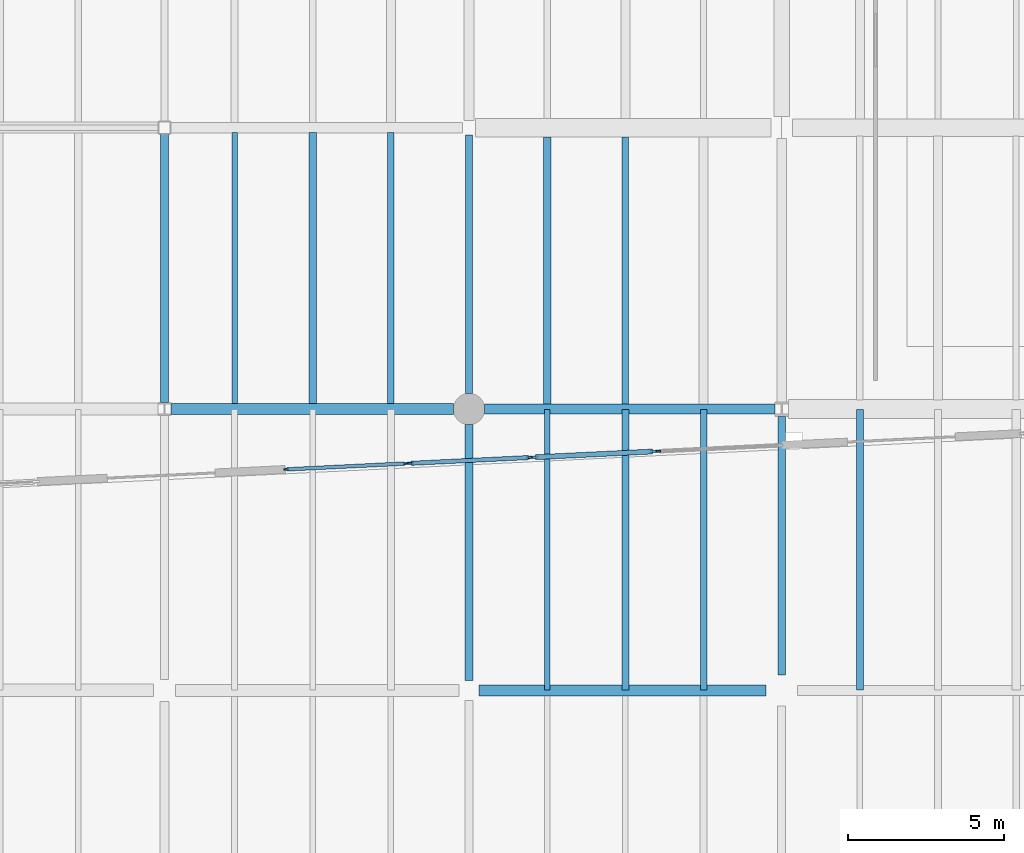
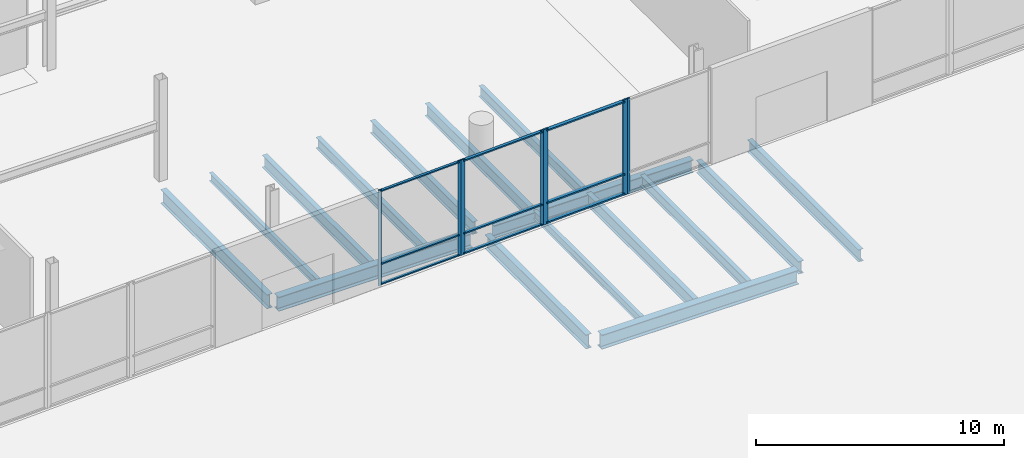
# One storey, part 27 of 88: 16 beams, 16 members, 4 elements without a shape of their own.
"""IFC4 building model written with IfcOpenShell, lengths in metres."""

from ifc_helpers import new_model, si_unit, direction, frame, origin, origin_2d, place, context, subcontext, project, spatial, rectangle, i_section, extrude, material, material_profile, profile_set, type_object, element, aggregate, save


model = new_model("IFC4")

# Units and contexts
model_context = context("Model", 3, precision=1e-05, world=origin(), true_north=direction((0.0, 1.0)))
body_context = subcontext(model_context, "Body", "Model", "MODEL_VIEW")
ifc_project = project(units=[si_unit("LENGTHUNIT", "METRE"), si_unit("AREAUNIT", "SQUARE_METRE"), si_unit("VOLUMEUNIT", "CUBIC_METRE"), si_unit("PLANEANGLEUNIT", "RADIAN"), si_unit("MASSUNIT", "GRAM", prefix="KILO")], contexts=[model_context])

# Site, building, storey
site_placement = place(None, origin())
site = spatial("IfcSite", under=ifc_project, at=site_placement, CompositionType="ELEMENT")
building_placement = place(site_placement, origin())
building = spatial("IfcBuilding", under=site, at=building_placement, Name="Trimount Lyric Opera House", CompositionType="ELEMENT")
storey_placement = place(building_placement, origin())
storey = spatial("IfcBuildingStorey", under=building, at=storey_placement, Name="L00", CompositionType="ELEMENT", Elevation=0.0)

# Beams
ifc_material_1 = material(Name="Steel ASTM A992 Grade 50", Category="steel")
ifc_material_profile_1 = material_profile(ifc_material_1, i_section(OverallWidth=0.35595703125, OverallDepth=0.700927734375, WebThickness=0.016845703125, FlangeThickness=0.02734375, FilletRadius=0.01806640625, at=origin_2d()), Name="W27X161")
ifc_profile_set_1 = profile_set([ifc_material_profile_1], Name="Steel ASTM A992 Grade 50")
beam_type_1 = type_object("IfcBeamType", Name="B-08", PredefinedType="BEAM", material=ifc_profile_set_1)
beam_1_placement = place(storey_placement, frame((74.324951171875, 17.0, -0.590576171875), z_axis=(1.0, 0.0, 0.0), x_axis=(0.0, 1.0, 0.0)))
element("IfcBeam", 1, at=beam_1_placement, inside=storey, type_object=beam_type_1, Name="L00 girder X-0043", PredefinedType="BEAM", context=body_context, shape_type="SweptSolid", body=[
    extrude(i_section(OverallWidth=0.35595703125, OverallDepth=0.700927734375, WebThickness=0.016845703125, FlangeThickness=0.02734375, FilletRadius=0.01806640625, at=origin_2d()), origin(), (0.0, 0.0, 1.0), 9.175048828125),
])
beam_2_placement = place(storey_placement, frame((64.462890625, 26.0, -0.73046875), z_axis=(1.0, 0.0, 0.0), x_axis=(0.0, 1.0, 0.0)))
element("IfcBeam", 2, at=beam_2_placement, inside=storey, type_object=beam_type_1, Name="L00 girder X-0057", PredefinedType="BEAM", context=body_context, shape_type="SweptSolid", body=[
    extrude(i_section(OverallWidth=0.35595703125, OverallDepth=0.700927734375, WebThickness=0.016845703125, FlangeThickness=0.02734375, FilletRadius=0.01806640625, at=origin_2d()), origin(), (0.0, 0.0, 1.0), 9.037109375),
])
ifc_material_2 = material(Name="Steel ASTM A992 Grade 50", Category="steel")
ifc_material_profile_2 = material_profile(ifc_material_2, i_section(OverallWidth=0.25390625, OverallDepth=0.68798828125, WebThickness=0.01318359375, FlangeThickness=0.02099609375, FilletRadius=0.01611328125, at=origin_2d()), Name="W27X102")
ifc_profile_set_2 = profile_set([ifc_material_profile_2], Name="Steel ASTM A992 Grade 50")
beam_type_2 = type_object("IfcBeamType", Name="B-09", PredefinedType="BEAM", material=ifc_profile_set_2)
beam_3_placement = place(storey_placement, frame((64.260009765625, 26.20849609375, -0.72412109375), z_axis=(0.0, 1.0, 0.0), x_axis=(-1.0, 0.0, 0.0)))
element("IfcBeam", 3, at=beam_3_placement, inside=storey, type_object=beam_type_2, Name="L00 girder Y-0312", PredefinedType="BEAM", context=body_context, shape_type="SweptSolid", body=[
    extrude(i_section(OverallWidth=0.25390625, OverallDepth=0.68798828125, WebThickness=0.01318359375, FlangeThickness=0.02099609375, FilletRadius=0.01611328125, at=origin_2d()), origin(), (0.0, 0.0, 1.0), 8.58837890625),
])
beam_4_placement = place(storey_placement, frame((74.0, 17.324951171875, -0.72412109375), z_axis=(0.0, 1.0, 0.0), x_axis=(-1.0, 0.0, 0.0)))
element("IfcBeam", 4, at=beam_4_placement, inside=storey, type_object=beam_type_2, Name="L00 girder Y-0323", PredefinedType="BEAM", context=body_context, shape_type="SweptSolid", body=[
    extrude(i_section(OverallWidth=0.25390625, OverallDepth=0.68798828125, WebThickness=0.01318359375, FlangeThickness=0.02099609375, FilletRadius=0.01611328125, at=origin_2d()), origin(), (0.0, 0.0, 1.0), 8.175048828125),
])
ifc_material_3 = material(Name="Steel ASTM A992 Grade 50", Category="steel")
ifc_material_profile_3 = material_profile(ifc_material_3, i_section(OverallWidth=0.327880859375, OverallDepth=0.626953125, WebThickness=0.0166015625, FlangeThickness=0.027587890625, FilletRadius=0.01611328125, at=origin_2d()), Name="W24X146")
ifc_profile_set_3 = profile_set([ifc_material_profile_3], Name="Steel ASTM A992 Grade 50")
beam_type_3 = type_object("IfcBeamType", Name="B-10", PredefinedType="BEAM", material=ifc_profile_set_3)
beam_5_placement = place(storey_placement, frame((74.5, 26.0, -0.693603515625), z_axis=(1.0, 0.0, 0.0), x_axis=(0.0, 1.0, 0.0)))
element("IfcBeam", 5, at=beam_5_placement, inside=storey, type_object=beam_type_3, Name="L00 girder X-0058", PredefinedType="BEAM", context=body_context, shape_type="SweptSolid", body=[
    extrude(i_section(OverallWidth=0.327880859375, OverallDepth=0.626953125, WebThickness=0.0166015625, FlangeThickness=0.027587890625, FilletRadius=0.01611328125, at=origin_2d()), origin(), (0.0, 0.0, 1.0), 9.2890625),
])
ifc_material_4 = material(Name="Steel ASTM A992 Grade 50", Category="steel")
ifc_material_profile_4 = material_profile(ifc_material_4, i_section(OverallWidth=0.22998046875, OverallDepth=0.616943359375, WebThickness=0.01318359375, FlangeThickness=0.022216796875, FilletRadius=0.013916015625, at=origin_2d()), Name="W24X94")
ifc_profile_set_4 = profile_set([ifc_material_profile_4], Name="Steel ASTM A992 Grade 50")
beam_type_4 = type_object("IfcBeamType", Name="B-11", PredefinedType="BEAM", material=ifc_profile_set_4)
for number, where, z_axis, x_axis, name in (
    (6, (74.0, 26.5, -0.6884765625), (0.0, 1.0, 0.0), (-1.0, 0.0, 0.0), "L00 girder Y-0324"),
    (7, (84.0, 17.5, -0.6884765625), (0.0, 1.0, 0.0), (-1.0, 0.0, 0.0), "L00 girder Y-0335"),
):
    element("IfcBeam", number, at=place(storey_placement, frame(where, z_axis=z_axis, x_axis=x_axis)), inside=storey, type_object=beam_type_4, Name=name, PredefinedType="BEAM", context=body_context, shape_type="SweptSolid", body=[
        extrude(i_section(OverallWidth=0.22998046875, OverallDepth=0.616943359375, WebThickness=0.01318359375, FlangeThickness=0.022216796875, FilletRadius=0.013916015625, at=origin_2d()), origin(), (0.0, 0.0, 1.0), 8.267578125),
    ])
ifc_material_5 = material(Name="Steel ASTM A992 Grade 50", Category="steel")
ifc_material_profile_5 = material_profile(ifc_material_5, i_section(OverallWidth=0.22802734375, OverallDepth=0.60205078125, WebThickness=0.010498046875, FlangeThickness=0.014892578125, FilletRadius=0.012939453125, at=origin_2d()), Name="W24X68")
ifc_profile_set_5 = profile_set([ifc_material_profile_5], Name="Steel ASTM A992 Grade 50")
beam_type_5 = type_object("IfcBeamType", Name="J-01", PredefinedType="BEAM", material=ifc_profile_set_5)
beam_6_placement = place(storey_placement, frame((69.0, 26.174072265625, -0.680908203125), z_axis=(0.0, 1.0, 0.0), x_axis=(-1.0, 0.0, 0.0)))
element("IfcBeam", 8, at=beam_6_placement, inside=storey, type_object=beam_type_5, Name="L00 composite floor joist 0194", PredefinedType="BEAM", context=body_context, shape_type="SweptSolid", body=[
    extrude(i_section(OverallWidth=0.22802734375, OverallDepth=0.60205078125, WebThickness=0.010498046875, FlangeThickness=0.014892578125, FilletRadius=0.012939453125, at=origin_2d()), origin(), (0.0, 0.0, 1.0), 8.666015625),
])
beam_7_placement = place(storey_placement, frame((79.0, 17.011962890625, -0.680908203125), z_axis=(0.0, 1.0, 0.0), x_axis=(-1.0, 0.0, 0.0)))
element("IfcBeam", 9, at=beam_7_placement, inside=storey, type_object=beam_type_5, Name="L00 composite floor joist 0221", PredefinedType="BEAM", context=body_context, shape_type="SweptSolid", body=[
    extrude(i_section(OverallWidth=0.22802734375, OverallDepth=0.60205078125, WebThickness=0.010498046875, FlangeThickness=0.014892578125, FilletRadius=0.012939453125, at=origin_2d()), origin(), (0.0, 0.0, 1.0), 8.97607421875),
])
beam_8_placement = place(storey_placement, frame((76.5, 26.159912109375, -0.680908203125), z_axis=(0.0, 1.0, 0.0), x_axis=(-1.0, 0.0, 0.0)))
element("IfcBeam", 10, at=beam_8_placement, inside=storey, type_object=beam_type_5, Name="L00 composite floor joist 0223", PredefinedType="BEAM", context=body_context, shape_type="SweptSolid", body=[
    extrude(i_section(OverallWidth=0.22802734375, OverallDepth=0.60205078125, WebThickness=0.010498046875, FlangeThickness=0.014892578125, FilletRadius=0.012939453125, at=origin_2d()), origin(), (0.0, 0.0, 1.0), 8.544189453125),
])
beam_9_placement = place(storey_placement, frame((86.5, 17.011962890625, -0.680908203125), z_axis=(0.0, 1.0, 0.0), x_axis=(-1.0, 0.0, 0.0)))
element("IfcBeam", 11, at=beam_9_placement, inside=storey, type_object=beam_type_5, Name="L00 composite floor joist 0248", PredefinedType="BEAM", context=body_context, shape_type="SweptSolid", body=[
    extrude(i_section(OverallWidth=0.22802734375, OverallDepth=0.60205078125, WebThickness=0.010498046875, FlangeThickness=0.014892578125, FilletRadius=0.012939453125, at=origin_2d()), origin(), (0.0, 0.0, 1.0), 8.97607421875),
])
ifc_material_6 = material(Name="Steel ASTM A992 Grade 50", Category="steel")
ifc_material_profile_6 = material_profile(ifc_material_6, i_section(OverallWidth=0.2099609375, OverallDepth=0.532958984375, WebThickness=0.01025390625, FlangeThickness=0.015625, FilletRadius=0.012939453125, at=origin_2d()), Name="W21X62")
ifc_profile_set_6 = profile_set([ifc_material_profile_6], Name="Steel ASTM A992 Grade 50")
beam_type_6 = type_object("IfcBeamType", Name="J-02", PredefinedType="BEAM", material=ifc_profile_set_6)
beam_10_placement = place(storey_placement, frame((71.5, 26.174072265625, -0.646484375), z_axis=(0.0, 1.0, 0.0), x_axis=(-1.0, 0.0, 0.0)))
element("IfcBeam", 12, at=beam_10_placement, inside=storey, type_object=beam_type_6, Name="L00 composite floor joist 0195", PredefinedType="BEAM", context=body_context, shape_type="SweptSolid", body=[
    extrude(i_section(OverallWidth=0.2099609375, OverallDepth=0.532958984375, WebThickness=0.01025390625, FlangeThickness=0.015625, FilletRadius=0.012939453125, at=origin_2d()), origin(), (0.0, 0.0, 1.0), 8.666015625),
])
beam_11_placement = place(storey_placement, frame((81.5, 17.011962890625, -0.646484375), z_axis=(0.0, 1.0, 0.0), x_axis=(-1.0, 0.0, 0.0)))
element("IfcBeam", 13, at=beam_11_placement, inside=storey, type_object=beam_type_6, Name="L00 composite floor joist 0222", PredefinedType="BEAM", context=body_context, shape_type="SweptSolid", body=[
    extrude(i_section(OverallWidth=0.2099609375, OverallDepth=0.532958984375, WebThickness=0.01025390625, FlangeThickness=0.015625, FilletRadius=0.012939453125, at=origin_2d()), origin(), (0.0, 0.0, 1.0), 8.97607421875),
])
beam_12_placement = place(storey_placement, frame((79.0, 26.159912109375, -0.646484375), z_axis=(0.0, 1.0, 0.0), x_axis=(-1.0, 0.0, 0.0)))
element("IfcBeam", 14, at=beam_12_placement, inside=storey, type_object=beam_type_6, Name="L00 composite floor joist 0224", PredefinedType="BEAM", context=body_context, shape_type="SweptSolid", body=[
    extrude(i_section(OverallWidth=0.2099609375, OverallDepth=0.532958984375, WebThickness=0.01025390625, FlangeThickness=0.015625, FilletRadius=0.012939453125, at=origin_2d()), origin(), (0.0, 0.0, 1.0), 8.544189453125),
])
ifc_material_7 = material(Name="Steel ASTM A992 Grade 50", Category="steel")
ifc_material_profile_7 = material_profile(ifc_material_7, i_section(OverallWidth=0.177978515625, OverallDepth=0.404052734375, WebThickness=0.007568359375, FlangeThickness=0.010986328125, FilletRadius=0.010009765625, at=origin_2d()), Name="W16X36")
ifc_profile_set_7 = profile_set([ifc_material_profile_7], Name="Steel ASTM A992 Grade 50")
beam_type_7 = type_object("IfcBeamType", Name="J-06", PredefinedType="BEAM", material=ifc_profile_set_7)
beam_13_placement = place(storey_placement, frame((66.5, 26.174072265625, -0.58203125), z_axis=(0.0, 1.0, 0.0), x_axis=(-1.0, 0.0, 0.0)))
element("IfcBeam", 15, at=beam_13_placement, inside=storey, type_object=beam_type_7, Name="L00 composite floor joist 0193", PredefinedType="BEAM", context=body_context, shape_type="SweptSolid", body=[
    extrude(i_section(OverallWidth=0.177978515625, OverallDepth=0.404052734375, WebThickness=0.007568359375, FlangeThickness=0.010986328125, FilletRadius=0.010009765625, at=origin_2d()), origin(), (0.0, 0.0, 1.0), 8.666015625),
])
beam_14_placement = place(storey_placement, frame((76.5, 17.011962890625, -0.58203125), z_axis=(0.0, 1.0, 0.0), x_axis=(-1.0, 0.0, 0.0)))
element("IfcBeam", 16, at=beam_14_placement, inside=storey, type_object=beam_type_7, Name="L00 composite floor joist 0220", PredefinedType="BEAM", context=body_context, shape_type="SweptSolid", body=[
    extrude(i_section(OverallWidth=0.177978515625, OverallDepth=0.404052734375, WebThickness=0.007568359375, FlangeThickness=0.010986328125, FilletRadius=0.010009765625, at=origin_2d()), origin(), (0.0, 0.0, 1.0), 8.97607421875),
])

# Curtain wall, members
ifc_material_8 = material(Name="Thermally Broken Aluminium and Low-E Glass", Category="aluminium")
curtain_wall_type = type_object("IfcCurtainWallType", Name="CW-01", PredefinedType="NOTDEFINED", material=ifc_material_8)
curtain_wall_1_placement = place(storey_placement, origin())
curtain_wall_1 = element("IfcCurtainWall", 17, at=curtain_wall_1_placement, inside=storey, type_object=curtain_wall_type, Name="L00 curtain wall 021", PredefinedType="NOTDEFINED")
ifc_material_9 = material(Name="Anodised Aluminium 6063-T6", Category="aluminium")
ifc_material_profile_8 = material_profile(ifc_material_9, rectangle(XDim=0.070068359375, YDim=0.219970703125, at=origin_2d()), Name="ALU-MULL-70X220")
ifc_profile_set_8 = profile_set([ifc_material_profile_8], Name="Anodised Aluminium 6063-T6")
member_type_1 = type_object("IfcMemberType", Name="ML-01", PredefinedType="MULLION", material=ifc_profile_set_8)
member_1_placement = place(storey_placement, frame((79.900146484375, 24.643310546875, 0.0), z_axis=(0.0, 0.0, 1.0), x_axis=(0.048678684537, -0.998814490119, 0.0)))
member_1 = element("IfcMember", 18, at=member_1_placement, type_object=member_type_1, Name="CW-01 mullion 1", PredefinedType="MULLION", context=body_context, shape_type="SweptSolid", body=[
    extrude(rectangle(XDim=0.070068359375, YDim=0.219970703125, at=origin_2d()), origin(), (0.0, 0.0, 1.0), 4.699951171875),
])
member_2_placement = place(storey_placement, frame((76.092041015625, 24.457763671875, 0.0), z_axis=(0.0, 0.0, 1.0), x_axis=(0.048678684537, -0.998814490119, 0.0)))
member_2 = element("IfcMember", 19, at=member_2_placement, type_object=member_type_1, Name="CW-01 mullion 2", PredefinedType="MULLION", context=body_context, shape_type="SweptSolid", body=[
    extrude(rectangle(XDim=0.070068359375, YDim=0.219970703125, at=origin_2d()), origin(), (0.0, 0.0, 1.0), 4.699951171875),
])

curtain_wall_2_placement = place(storey_placement, origin())
curtain_wall_2 = element("IfcCurtainWall", 20, at=curtain_wall_2_placement, inside=storey, type_object=curtain_wall_type, Name="L00 curtain wall 022", PredefinedType="NOTDEFINED")
ifc_material_10 = material(Name="Anodised Aluminium 6063-T6", Category="aluminium")
ifc_material_profile_9 = material_profile(ifc_material_10, rectangle(XDim=0.06494140625, YDim=0.179931640625, at=origin_2d()), Name="ALU-MULL-65X180")
ifc_profile_set_9 = profile_set([ifc_material_profile_9], Name="Anodised Aluminium 6063-T6")
member_type_2 = type_object("IfcMemberType", Name="ML-02", PredefinedType="MULLION", material=ifc_profile_set_9)
member_3_placement = place(storey_placement, frame((75.9345703125, 24.449462890625, 0.0), z_axis=(0.0, 0.0, 1.0), x_axis=(0.048678684537, -0.998814490119, 0.0)))
member_3 = element("IfcMember", 21, at=member_3_placement, type_object=member_type_2, Name="CW-01 mullion 1", PredefinedType="MULLION", context=body_context, shape_type="SweptSolid", body=[
    extrude(rectangle(XDim=0.06494140625, YDim=0.179931640625, at=origin_2d()), origin(), (0.0, 0.0, 1.0), 4.699951171875),
])
member_4_placement = place(storey_placement, frame((72.12158203125, 24.263671875, 0.0), z_axis=(0.0, 0.0, 1.0), x_axis=(0.048678684537, -0.998814490119, 0.0)))
member_4 = element("IfcMember", 22, at=member_4_placement, type_object=member_type_2, Name="CW-01 mullion 2", PredefinedType="MULLION", context=body_context, shape_type="SweptSolid", body=[
    extrude(rectangle(XDim=0.06494140625, YDim=0.179931640625, at=origin_2d()), origin(), (0.0, 0.0, 1.0), 4.699951171875),
])

# Curtain wall, member
curtain_wall_3_placement = place(storey_placement, origin())
curtain_wall_3 = element("IfcCurtainWall", 23, at=curtain_wall_3_placement, inside=storey, type_object=curtain_wall_type, Name="L00 curtain wall 020", PredefinedType="NOTDEFINED")
ifc_material_11 = material(Name="Anodised Aluminium 6063-T6", Category="aluminium")
ifc_material_profile_10 = material_profile(ifc_material_11, rectangle(XDim=0.06005859375, YDim=0.14990234375, at=origin_2d()), Name="ALU-MULL-60X150")
ifc_profile_set_10 = profile_set([ifc_material_profile_10], Name="Anodised Aluminium 6063-T6")
member_type_3 = type_object("IfcMemberType", Name="ML-03", PredefinedType="MULLION", material=ifc_profile_set_10)
member_5_placement = place(storey_placement, frame((80.054931640625, 24.650390625, 0.0), z_axis=(0.0, 0.0, 1.0), x_axis=(0.048832800304, -0.998806967144, 0.0)))
member_5 = element("IfcMember", 24, at=member_5_placement, type_object=member_type_3, Name="CW-01 mullion 2", PredefinedType="MULLION", context=body_context, shape_type="SweptSolid", body=[
    extrude(rectangle(XDim=0.06005859375, YDim=0.14990234375, at=origin_2d()), origin(), (0.0, 0.0, 1.0), 4.699951171875),
])
aggregate(curtain_wall_3, [member_5])

# Curtain wall, members
curtain_wall_4_placement = place(storey_placement, origin())
curtain_wall_4 = element("IfcCurtainWall", 25, at=curtain_wall_4_placement, inside=storey, type_object=curtain_wall_type, Name="L00 curtain wall 023", PredefinedType="NOTDEFINED")
member_6_placement = place(storey_placement, frame((71.968994140625, 24.256591796875, 0.0), z_axis=(0.0, 0.0, 1.0), x_axis=(0.048935628556, -0.998801934448, 0.0)))
member_6 = element("IfcMember", 26, at=member_6_placement, type_object=member_type_3, Name="CW-01 mullion 1", PredefinedType="MULLION", context=body_context, shape_type="SweptSolid", body=[
    extrude(rectangle(XDim=0.06005859375, YDim=0.14990234375, at=origin_2d()), origin(), (0.0, 0.0, 1.0), 4.699951171875),
])
member_7_placement = place(storey_placement, frame((68.15087890625, 24.069580078125, 0.0), z_axis=(0.0, 0.0, 1.0), x_axis=(0.048935628556, -0.998801934448, 0.0)))
member_7 = element("IfcMember", 27, at=member_7_placement, type_object=member_type_3, Name="CW-01 mullion 2", PredefinedType="MULLION", context=body_context, shape_type="SweptSolid", body=[
    extrude(rectangle(XDim=0.06005859375, YDim=0.14990234375, at=origin_2d()), origin(), (0.0, 0.0, 1.0), 4.699951171875),
])

# Member
ifc_material_12 = material(Name="Anodised Aluminium 6063-T6", Category="aluminium")
ifc_material_profile_11 = material_profile(ifc_material_12, rectangle(XDim=0.159912109375, YDim=0.070068359375, at=origin_2d()), Name="ALU-TRAN-70X160")
ifc_profile_set_11 = profile_set([ifc_material_profile_11], Name="Anodised Aluminium 6063-T6")
member_type_4 = type_object("IfcMemberType", Name="TR-01", PredefinedType="USERDEFINED", material=ifc_profile_set_11)
member_8_placement = place(storey_placement, frame((79.864990234375, 24.6416015625, 0.080078125), z_axis=(-0.998815136986, -0.048665409979, 0.0), x_axis=(0.048665409979, -0.998815136986, 0.0)))
member_8 = element("IfcMember", 28, at=member_8_placement, type_object=member_type_4, Name="CW-01 transom 1.1", ObjectType="TRANSOM", PredefinedType="USERDEFINED", context=body_context, shape_type="SweptSolid", body=[
    extrude(rectangle(XDim=0.159912109375, YDim=0.070068359375, at=origin_2d()), origin(), (0.0, 0.0, 1.0), 3.742431640625),
])

member_9_placement = place(storey_placement, frame((79.864990234375, 24.6416015625, 1.050048828125), z_axis=(-0.998815136986, -0.048665409979, 0.0), x_axis=(0.048665409979, -0.998815136986, 0.0)))
member_9 = element("IfcMember", 29, at=member_9_placement, type_object=member_type_4, Name="CW-01 transom 1.2", ObjectType="TRANSOM", PredefinedType="USERDEFINED", context=body_context, shape_type="SweptSolid", body=[
    extrude(rectangle(XDim=0.159912109375, YDim=0.070068359375, at=origin_2d()), origin(), (0.0, 0.0, 1.0), 3.742431640625),
])

member_10_placement = place(storey_placement, frame((79.864990234375, 24.6416015625, 4.6201171875), z_axis=(-0.998815136986, -0.048665409979, 0.0), x_axis=(0.048665409979, -0.998815136986, 0.0)))
member_10 = element("IfcMember", 30, at=member_10_placement, type_object=member_type_4, Name="CW-01 transom 1.3", ObjectType="TRANSOM", PredefinedType="USERDEFINED", context=body_context, shape_type="SweptSolid", body=[
    extrude(rectangle(XDim=0.159912109375, YDim=0.070068359375, at=origin_2d()), origin(), (0.0, 0.0, 1.0), 3.742431640625),
])

aggregate(curtain_wall_1, [member_1, member_2, member_8, member_9, member_10])

ifc_material_13 = material(Name="Anodised Aluminium 6063-T6", Category="aluminium")
ifc_material_profile_12 = material_profile(ifc_material_13, rectangle(XDim=0.135009765625, YDim=0.06494140625, at=origin_2d()), Name="ALU-TRAN-65X135")
ifc_profile_set_12 = profile_set([ifc_material_profile_12], Name="Anodised Aluminium 6063-T6")
member_type_5 = type_object("IfcMemberType", Name="TR-02", PredefinedType="USERDEFINED", material=ifc_profile_set_12)
member_11_placement = place(storey_placement, frame((75.902099609375, 24.44775390625, 0.0673828125), z_axis=(-0.998815283621, -0.048662400322, 0.0), x_axis=(0.048662400322, -0.998815283621, 0.0)))
member_11 = element("IfcMember", 31, at=member_11_placement, type_object=member_type_5, Name="CW-01 transom 1.1", ObjectType="TRANSOM", PredefinedType="USERDEFINED", context=body_context, shape_type="SweptSolid", body=[
    extrude(rectangle(XDim=0.135009765625, YDim=0.06494140625, at=origin_2d()), origin(), (0.0, 0.0, 1.0), 3.752685546875),
])

member_12_placement = place(storey_placement, frame((75.902099609375, 24.44775390625, 1.050048828125), z_axis=(-0.998815283621, -0.048662400322, 0.0), x_axis=(0.048662400322, -0.998815283621, 0.0)))
member_12 = element("IfcMember", 32, at=member_12_placement, type_object=member_type_5, Name="CW-01 transom 1.2", ObjectType="TRANSOM", PredefinedType="USERDEFINED", context=body_context, shape_type="SweptSolid", body=[
    extrude(rectangle(XDim=0.135009765625, YDim=0.06494140625, at=origin_2d()), origin(), (0.0, 0.0, 1.0), 3.752685546875),
])

member_13_placement = place(storey_placement, frame((75.902099609375, 24.44775390625, 4.632568359375), z_axis=(-0.998815283621, -0.048662400322, 0.0), x_axis=(0.048662400322, -0.998815283621, 0.0)))
member_13 = element("IfcMember", 33, at=member_13_placement, type_object=member_type_5, Name="CW-01 transom 1.3", ObjectType="TRANSOM", PredefinedType="USERDEFINED", context=body_context, shape_type="SweptSolid", body=[
    extrude(rectangle(XDim=0.135009765625, YDim=0.06494140625, at=origin_2d()), origin(), (0.0, 0.0, 1.0), 3.752685546875),
])

aggregate(curtain_wall_2, [member_3, member_4, member_11, member_12, member_13])

ifc_material_14 = material(Name="Anodised Aluminium 6063-T6", Category="aluminium")
ifc_material_profile_13 = material_profile(ifc_material_14, rectangle(XDim=0.114990234375, YDim=0.06005859375, at=origin_2d()), Name="ALU-TRAN-60X115")
ifc_profile_set_13 = profile_set([ifc_material_profile_13], Name="Anodised Aluminium 6063-T6")
member_type_6 = type_object("IfcMemberType", Name="TR-03", PredefinedType="USERDEFINED", material=ifc_profile_set_13)
member_14_placement = place(storey_placement, frame((71.93896484375, 24.255126953125, 0.0576171875), z_axis=(-0.998802472508, -0.048924645246, 0.0), x_axis=(0.048924645246, -0.998802472508, 0.0)))
member_14 = element("IfcMember", 34, at=member_14_placement, type_object=member_type_6, Name="CW-01 transom 1.1", ObjectType="TRANSOM", PredefinedType="USERDEFINED", context=body_context, shape_type="SweptSolid", body=[
    extrude(rectangle(XDim=0.114990234375, YDim=0.06005859375, at=origin_2d()), origin(), (0.0, 0.0, 1.0), 3.762451171875),
])

member_15_placement = place(storey_placement, frame((71.93896484375, 24.255126953125, 1.050048828125), z_axis=(-0.998802472508, -0.048924645246, 0.0), x_axis=(0.048924645246, -0.998802472508, 0.0)))
member_15 = element("IfcMember", 35, at=member_15_placement, type_object=member_type_6, Name="CW-01 transom 1.2", ObjectType="TRANSOM", PredefinedType="USERDEFINED", context=body_context, shape_type="SweptSolid", body=[
    extrude(rectangle(XDim=0.114990234375, YDim=0.06005859375, at=origin_2d()), origin(), (0.0, 0.0, 1.0), 3.762451171875),
])

member_16_placement = place(storey_placement, frame((71.93896484375, 24.255126953125, 4.642578125), z_axis=(-0.998802472508, -0.048924645246, 0.0), x_axis=(0.048924645246, -0.998802472508, 0.0)))
member_16 = element("IfcMember", 36, at=member_16_placement, type_object=member_type_6, Name="CW-01 transom 1.3", ObjectType="TRANSOM", PredefinedType="USERDEFINED", context=body_context, shape_type="SweptSolid", body=[
    extrude(rectangle(XDim=0.114990234375, YDim=0.06005859375, at=origin_2d()), origin(), (0.0, 0.0, 1.0), 3.762451171875),
])

aggregate(curtain_wall_4, [member_6, member_7, member_14, member_15, member_16])

save(model, "model.ifc")
